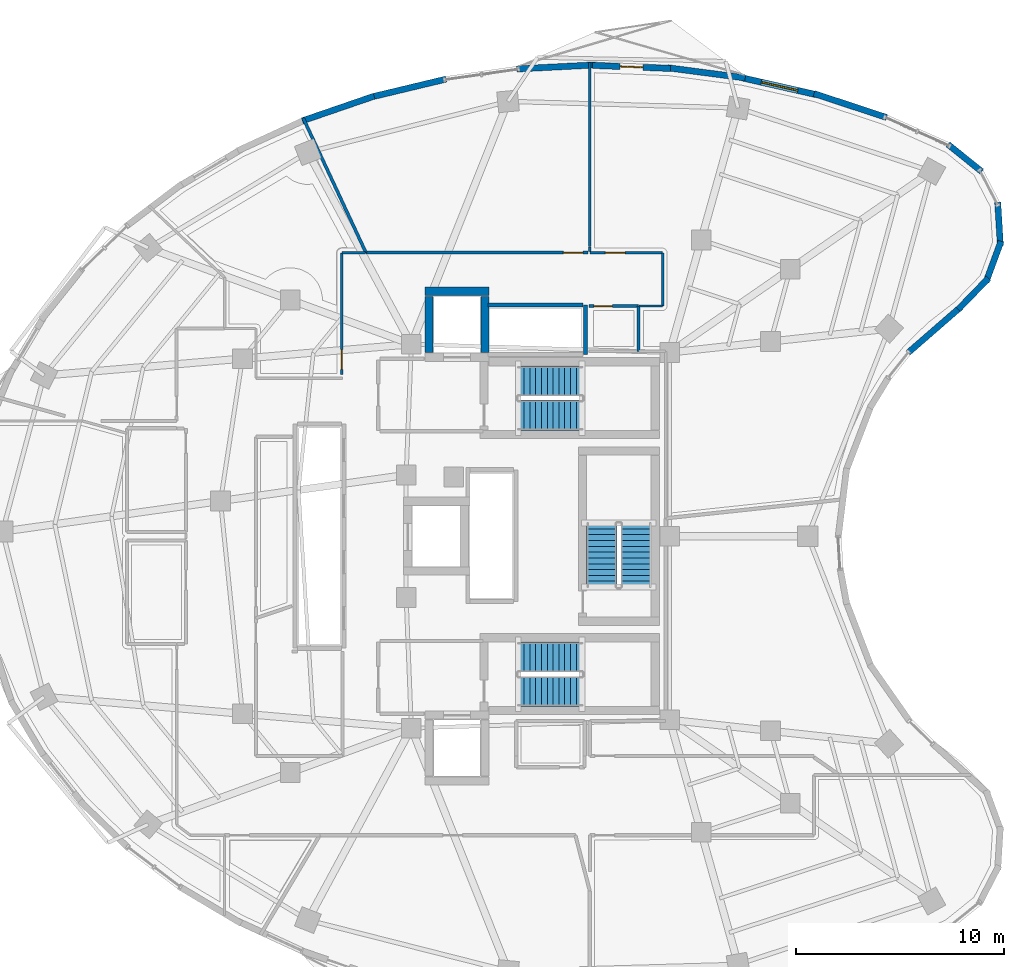
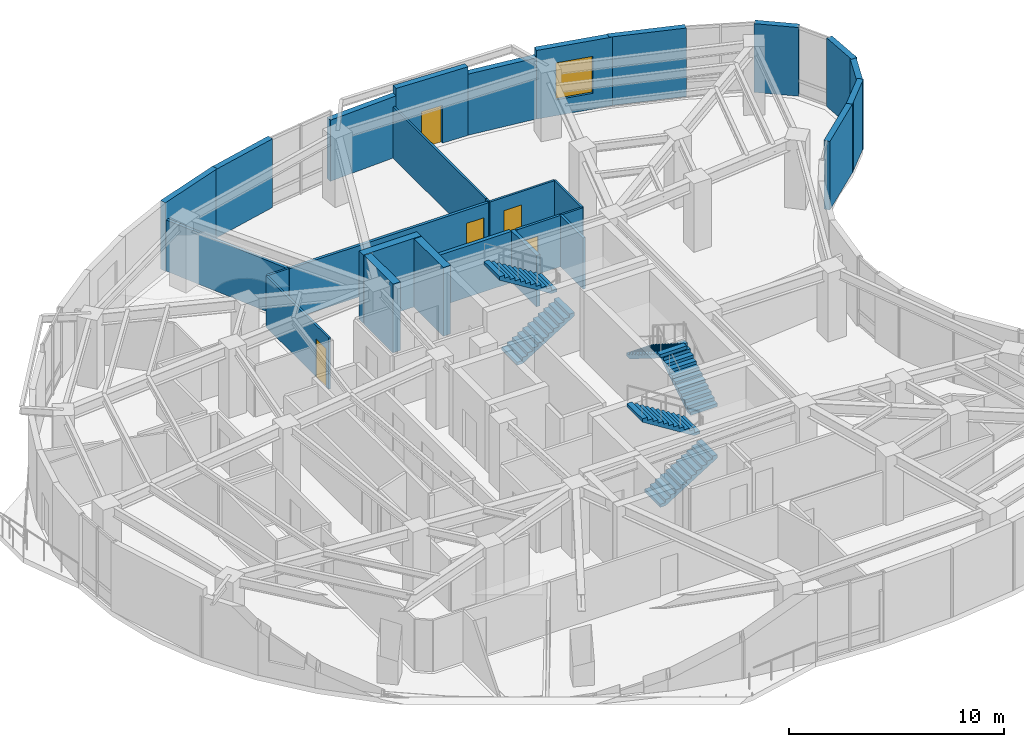
# One storey, part 11 of 14: 28 walls, 6 stair flights, 5 doors, 1 window, 6 openings, 3 elements without a shape of their own.
"""IFC4 building model written with IfcOpenShell, lengths in metres."""

from ifc_helpers import new_model, si_unit, direction, frame, frame_2d, origin, place, context, subcontext, project, spatial, polyline, rectangle, outline, extrude, material, layer, layer_set, type_object, element, fill, aggregate, save


model = new_model("IFC4")

# Units and contexts
model_context = context("Model", 3, precision=1e-05, world=origin(), true_north=direction((0.0, 1.0)))
body_context = subcontext(model_context, "Body", "Model", "MODEL_VIEW")
ifc_project = project(units=[si_unit("LENGTHUNIT", "METRE"), si_unit("AREAUNIT", "SQUARE_METRE"), si_unit("VOLUMEUNIT", "CUBIC_METRE"), si_unit("PLANEANGLEUNIT", "RADIAN"), si_unit("MASSUNIT", "GRAM", prefix="KILO")], contexts=[model_context])

# Site, building, storey
site_placement = place(None, origin())
site = spatial("IfcSite", under=ifc_project, at=site_placement, CompositionType="ELEMENT")
building_placement = place(site_placement, origin())
building = spatial("IfcBuilding", under=site, at=building_placement, Name="Korentha Bioscience Tower", CompositionType="ELEMENT")
storey_placement = place(building_placement, frame((0.0, 0.0, 231.0)))
storey = spatial("IfcBuildingStorey", under=building, at=storey_placement, Name="L53", CompositionType="ELEMENT", Elevation=231.0)

# Wall, opening, door
ifc_material_1 = material(Name="Double-Stud Acoustic Gypsum", Category="gypsum")
ifc_layer_1 = layer(ifc_material_1, 0.14990234375, Name="Double-Stud Acoustic Gypsum")
ifc_layer_set_1 = layer_set([ifc_layer_1], Name="Double-Stud Acoustic Gypsum (IW-L150)")
wall_type_1 = type_object("IfcWallType", Name="Acoustic Laboratory Partition Wall 150", PredefinedType="PARTITIONING", material=ifc_layer_set_1)
wall_1_placement = place(storey_placement, frame((33.611083984375, 40.659912109375, 0.0), z_axis=(0.0, 0.0, 1.0), x_axis=(-1.0, 0.0, 0.0)))
wall_1 = element("IfcWall", 1, at=wall_1_placement, inside=storey, type_object=wall_type_1, Name="L53 Data Visualization Collaboration Hub 08 Entrance Wall", PredefinedType="PARTITIONING", context=body_context, shape_type="SweptSolid", body=[
    extrude(rectangle(XDim=10.698486328125, YDim=0.14990234375, at=frame_2d((5.34912109375, 0.0))), origin(), (0.0, 0.0, 1.0), 2.909912109375),
])
opening_1_placement = place(wall_1_placement, frame((0.239990234375, 0.0, 0.0)))
opening_1 = element("IfcOpeningElement", 2, at=opening_1_placement, cuts=wall_1, Name="Opening ID-10L", PredefinedType="OPENING", context=body_context, shape_type="SweptSolid", body=[
    extrude(rectangle(XDim=0.949951171875, YDim=2.14990234375, at=frame_2d((0.47509765625, 1.074951171875))), frame((0.0, 0.08984375, 0.0), z_axis=(0.0, -1.0, 0.0), x_axis=(1.0, 0.0, 0.0)), (0.0, 0.0, 1.0), 0.1796875),
])
ifc_material_2 = material(Name="Phenolic Laminate Timber Core", Category="wood")
door_type_1 = type_object("IfcDoorType", Name="Laboratory Single Leaf Door 950x2150 Left", OperationType="SINGLE_SWING_LEFT", PredefinedType="DOOR", material=ifc_material_2)
door_1_placement = place(opening_1_placement, origin())
door_1 = element("IfcDoor", 3, at=door_1_placement, inside=storey, type_object=door_type_1, Name="L53 Data Visualization Collaboration Hub 08 Door", OperationType="SINGLE_SWING_LEFT", OverallHeight=2.14990234375, OverallWidth=0.949951171875, PredefinedType="DOOR", context=body_context, shape_type="SweptSolid", body=[
    extrude(rectangle(XDim=0.949951171875, YDim=2.14990234375, at=frame_2d((0.47509765625, 1.074951171875))), frame((0.0, 0.02490234375, 0.0), z_axis=(0.0, -1.0, 0.0), x_axis=(1.0, 0.0, 0.0)), (0.0, 0.0, 1.0), 0.050048828125),
])
fill(opening_1, door_1)

# Wall
wall_2_placement = place(storey_placement, frame((22.91259765625, 40.659912109375, 0.0), z_axis=(0.0, 0.0, 1.0), x_axis=(-0.422622429436, 0.906305843597, 0.0)))
element("IfcWall", 4, at=wall_2_placement, inside=storey, type_object=wall_type_1, Name="L53 Interior Partition 059", PredefinedType="PARTITIONING", context=body_context, shape_type="SweptSolid", body=[
    extrude(rectangle(XDim=7.1650390625, YDim=0.14990234375, at=frame_2d((3.58251953125, 0.0))), origin(), (0.0, 0.0, 1.0), 2.909912109375),
])

# Wall, opening, door
ifc_material_3 = material(Name="Fire-Rated Framed Glass", Category="glass")
ifc_layer_2 = layer(ifc_material_3, 0.110107421875, Name="Fire-Rated Framed Glass")
ifc_layer_set_2 = layer_set([ifc_layer_2], Name="Fire-Rated Framed Glass (IW-G110)")
wall_type_2 = type_object("IfcWallType", Name="Demountable Glazed Office Partition 110", PredefinedType="MOVABLE", material=ifc_layer_set_2)
wall_3_placement = place(storey_placement, frame((37.199951171875, 40.659912109375, 0.0), z_axis=(0.0, 0.0, 1.0), x_axis=(-1.0, 0.0, 0.0)))
wall_3 = element("IfcWall", 5, at=wall_3_placement, inside=storey, type_object=wall_type_2, Name="L53 Research Group Leader Office 07 Entrance Wall", PredefinedType="MOVABLE", context=body_context, shape_type="SweptSolid", body=[
    extrude(rectangle(XDim=3.498046875, YDim=0.110107421875, at=frame_2d((1.7490234375, 0.0))), origin(), (0.0, 0.0, 1.0), 2.909912109375),
])
opening_2_placement = place(wall_3_placement, frame((1.802001953125, 0.0, 0.0)))
opening_2 = element("IfcOpeningElement", 6, at=opening_2_placement, cuts=wall_3, Name="Opening ID-10R", PredefinedType="OPENING", context=body_context, shape_type="SweptSolid", body=[
    extrude(rectangle(XDim=0.949951171875, YDim=2.14990234375, at=frame_2d((0.47509765625, 1.074951171875))), frame((0.0, 0.06982421875, 0.0), z_axis=(0.0, -1.0, 0.0), x_axis=(1.0, 0.0, 0.0)), (0.0, 0.0, 1.0), 0.139892578125),
])
door_type_2 = type_object("IfcDoorType", Name="Laboratory Single Leaf Door 950x2150 Right", OperationType="SINGLE_SWING_RIGHT", PredefinedType="DOOR", material=ifc_material_2)
door_2_placement = place(opening_2_placement, origin())
door_2 = element("IfcDoor", 7, at=door_2_placement, inside=storey, type_object=door_type_2, Name="L53 Research Group Leader Office 07 Door", OperationType="SINGLE_SWING_RIGHT", OverallHeight=2.14990234375, OverallWidth=0.949951171875, PredefinedType="DOOR", context=body_context, shape_type="SweptSolid", body=[
    extrude(rectangle(XDim=0.949951171875, YDim=2.14990234375, at=frame_2d((0.47509765625, 1.074951171875))), frame((0.0, 0.02490234375, 0.0), z_axis=(0.0, -1.0, 0.0), x_axis=(1.0, 0.0, 0.0)), (0.0, 0.0, 1.0), 0.050048828125),
])
fill(opening_2, door_2)

wall_4_placement = place(storey_placement, frame((21.739990234375, 40.64990234375, 0.0), z_axis=(0.0, 0.0, 1.0), x_axis=(0.0, -1.0, 0.0)))
wall_4 = element("IfcWall", 8, at=wall_4_placement, inside=storey, type_object=wall_type_2, Name="L53 Colloquium Huddle Room 09 Entrance Wall", PredefinedType="MOVABLE", context=body_context, shape_type="SweptSolid", body=[
    extrude(rectangle(XDim=5.849853515625, YDim=0.110107421875, at=frame_2d((2.9248046875, 0.0))), origin(), (0.0, 0.0, 1.0), 2.909912109375),
])
opening_3_placement = place(wall_4_placement, frame((4.659912109375, 0.0, 0.0)))
opening_3 = element("IfcOpeningElement", 9, at=opening_3_placement, cuts=wall_4, Name="Opening ID-10R", PredefinedType="OPENING", context=body_context, shape_type="SweptSolid", body=[
    extrude(rectangle(XDim=0.949951171875, YDim=2.14990234375, at=frame_2d((0.47509765625, 1.074951171875))), frame((0.0, 0.06982421875, 0.0), z_axis=(0.0, -1.0, 0.0), x_axis=(1.0, 0.0, 0.0)), (0.0, 0.0, 1.0), 0.139892578125),
])
door_3_placement = place(opening_3_placement, origin())
door_3 = element("IfcDoor", 10, at=door_3_placement, inside=storey, type_object=door_type_2, Name="L53 Colloquium Huddle Room 09 Door", OperationType="SINGLE_SWING_RIGHT", OverallHeight=2.14990234375, OverallWidth=0.949951171875, PredefinedType="DOOR", context=body_context, shape_type="SweptSolid", body=[
    extrude(rectangle(XDim=0.949951171875, YDim=2.14990234375, at=frame_2d((0.47509765625, 1.074951171875))), frame((0.0, 0.02490234375, 0.0), z_axis=(0.0, -1.0, 0.0), x_axis=(1.0, 0.0, 0.0)), (0.0, 0.0, 1.0), 0.050048828125),
])
fill(opening_3, door_3)

# Walls
wall_5_placement = place(storey_placement, frame((33.701904296875, 40.9462890625, 0.0), z_axis=(0.0, 0.0, 1.0), x_axis=(0.0, 1.0, 0.0)))
element("IfcWall", 11, at=wall_5_placement, inside=storey, type_object=wall_type_2, Name="L53 Interior Partition 053", PredefinedType="MOVABLE", context=body_context, shape_type="SweptSolid", body=[
    extrude(rectangle(XDim=8.867919921875, YDim=0.110107421875, at=frame_2d((4.43408203125, 0.0))), origin(), (0.0, 0.0, 1.0), 2.909912109375),
])
wall_6_placement = place(storey_placement, frame((36.06005859375, 38.090087890625, 0.0), z_axis=(0.0, 0.0, 1.0), x_axis=(1.0, 0.0, 0.0)))
element("IfcWall", 12, at=wall_6_placement, inside=storey, type_object=wall_type_2, Name="L53 Interior Partition 056", PredefinedType="MOVABLE", context=body_context, shape_type="SweptSolid", body=[
    extrude(rectangle(XDim=1.139892578125, YDim=0.110107421875, at=frame_2d((0.56982421875, 0.0))), origin(), (0.0, 0.0, 1.0), 2.909912109375),
])
wall_7_placement = place(storey_placement, frame((37.2099609375, 38.10009765625, 0.0), z_axis=(0.0, 0.0, 1.0), x_axis=(0.0, 1.0, 0.0)))
element("IfcWall", 13, at=wall_7_placement, inside=storey, type_object=wall_type_2, Name="L53 Interior Partition 057", PredefinedType="MOVABLE", context=body_context, shape_type="SweptSolid", body=[
    extrude(rectangle(XDim=2.5498046875, YDim=0.110107421875, at=frame_2d((1.27490234375, 0.0))), origin(), (0.0, 0.0, 1.0), 2.909912109375),
])
wall_8_placement = place(storey_placement, frame((33.701904296875, 40.718017578125, 0.0), z_axis=(0.0, 0.0, 1.0), x_axis=(0.0, 1.0, 0.0)))
element("IfcWall", 14, at=wall_8_placement, inside=storey, type_object=wall_type_2, Name="L53 Interior Partition 058", PredefinedType="MOVABLE", context=body_context, shape_type="SweptSolid", body=[
    extrude(rectangle(XDim=0.21484375, YDim=0.110107421875, at=frame_2d((0.107421875, 0.0))), origin(), (0.0, 0.0, 1.0), 2.909912109375),
])
wall_9_placement = place(storey_placement, frame((22.901611328125, 40.659912109375, 0.0), z_axis=(0.0, 0.0, 1.0), x_axis=(-1.0, 0.0, 0.0)))
element("IfcWall", 15, at=wall_9_placement, inside=storey, type_object=wall_type_2, Name="L53 Interior Partition 060", PredefinedType="MOVABLE", context=body_context, shape_type="SweptSolid", body=[
    extrude(rectangle(XDim=1.151611328125, YDim=0.110107421875, at=frame_2d((0.57568359375, 0.0))), origin(), (0.0, 0.0, 1.0), 2.909912109375),
])

# Wall, opening, window
ifc_material_4 = material(Name="Honed Limestone Precast Concrete C40", Category="masonry")
ifc_layer_3 = layer(ifc_material_4, 0.300048828125, Name="Honed Limestone Precast Concrete C40")
ifc_layer_set_3 = layer_set([ifc_layer_3], Name="Honed Limestone Precast Concrete C40 (EW-ST300)")
wall_type_3 = type_object("IfcWallType", Name="Honed Limestone Cavity Spandrel Wall 300", PredefinedType="STANDARD", material=ifc_layer_set_3)
wall_10_placement = place(storey_placement, frame((44.646484375, 48.267333984375, 0.0), z_axis=(0.0, 0.0, 1.0), x_axis=(-0.975237678872, 0.221159376263, 0.0)))
wall_10 = element("IfcWall", 16, at=wall_10_placement, inside=storey, type_object=wall_type_3, Name="L53 Honed Limestone Spandrel Wall 03", PredefinedType="STANDARD", context=body_context, shape_type="SweptSolid", body=[
    extrude(rectangle(XDim=3.70263671875, YDim=0.300048828125, at=frame_2d((1.851318359375, 0.0))), origin(), (0.0, 0.0, 1.0), 3.89990234375),
])
opening_4_placement = place(wall_10_placement, frame((0.951416015625, 0.0, 0.89990234375)))
opening_4 = element("IfcOpeningElement", 17, at=opening_4_placement, cuts=wall_10, Name="Opening WN-01", PredefinedType="OPENING", context=body_context, shape_type="SweptSolid", body=[
    extrude(rectangle(XDim=1.800048828125, YDim=2.10009765625, at=frame_2d((0.89990234375, 1.050048828125))), frame((0.0, 0.1650390625, 0.0), z_axis=(0.0, -1.0, 0.0), x_axis=(1.0, 0.0, 0.0)), (0.0, 0.0, 1.0), 0.329833984375),
])
ifc_material_5 = material(Name="Thermally Broken Aluminium Triple Glazing", Category="aluminium")
window_type = type_object("IfcWindowType", Name="Triple-Glazed Fixed Bioscience Window 1800x2100", PartitioningType="SINGLE_PANEL", PredefinedType="WINDOW", material=ifc_material_5)
window_placement = place(opening_4_placement, origin())
window = element("IfcWindow", 18, at=window_placement, inside=storey, type_object=window_type, Name="L53 Facade Window 03", OverallHeight=2.10009765625, OverallWidth=1.800048828125, PartitioningType="SINGLE_PANEL", PredefinedType="WINDOW", context=body_context, shape_type="SweptSolid", body=[
    extrude(rectangle(XDim=1.800048828125, YDim=2.10009765625, at=frame_2d((0.89990234375, 1.050048828125))), frame((0.0, 0.030029296875, 0.0), z_axis=(0.0, -1.0, 0.0), x_axis=(1.0, 0.0, 0.0)), (0.0, 0.0, 1.0), 0.06005859375),
])
fill(opening_4, window)

# Wall, opening, door
wall_11_placement = place(storey_placement, frame((37.58837890625, 49.5380859375, 0.0), z_axis=(0.0, 0.0, 1.0), x_axis=(-0.999223368644, 0.03940380128, 0.0)))
wall_11 = element("IfcWall", 19, at=wall_11_placement, inside=storey, type_object=wall_type_3, Name="L53 Balcony Threshold Wall 01", PredefinedType="STANDARD", context=body_context, shape_type="SweptSolid", body=[
    extrude(rectangle(XDim=3.76708984375, YDim=0.300048828125, at=frame_2d((1.883544921875, 0.0))), origin(), (0.0, 0.0, 1.0), 3.89990234375),
])
opening_5_placement = place(wall_11_placement, frame((1.33349609375, 0.0, 0.0)))
opening_5 = element("IfcOpeningElement", 20, at=opening_5_placement, cuts=wall_11, Name="Opening BD-11L", PredefinedType="OPENING", context=body_context, shape_type="SweptSolid", body=[
    extrude(rectangle(XDim=1.10009765625, YDim=2.14990234375, at=frame_2d((0.550048828125, 1.074951171875))), frame((0.0, 0.1650390625, 0.0), z_axis=(0.0, -1.0, 0.0), x_axis=(1.0, 0.0, 0.0)), (0.0, 0.0, 1.0), 0.329833984375),
])
ifc_material_6 = material(Name="Thermally Broken Glazed Aluminium", Category="aluminium")
door_type_3 = type_object("IfcDoorType", Name="Balcony Terrace Glazed Door 1100x2150 Left", OperationType="SINGLE_SWING_LEFT", PredefinedType="DOOR", material=ifc_material_6)
door_4_placement = place(opening_5_placement, origin())
door_4 = element("IfcDoor", 21, at=door_4_placement, inside=storey, type_object=door_type_3, Name="L53 Balcony Access Door 01", OperationType="SINGLE_SWING_LEFT", OverallHeight=2.14990234375, OverallWidth=1.10009765625, PredefinedType="DOOR", context=body_context, shape_type="SweptSolid", body=[
    extrude(rectangle(XDim=1.10009765625, YDim=2.14990234375, at=frame_2d((0.550048828125, 1.074951171875))), frame((0.0, 0.02490234375, 0.0), z_axis=(0.0, -1.0, 0.0), x_axis=(1.0, 0.0, 0.0)), (0.0, 0.0, 1.0), 0.050048828125),
])
fill(opening_5, door_4)

# Walls
wall_12_placement = place(storey_placement, frame((47.997802734375, 47.1767578125, 0.0), z_axis=(0.0, 0.0, 1.0), x_axis=(-0.94972655205, 0.313080622734, 0.0)))
element("IfcWall", 22, at=wall_12_placement, inside=storey, type_object=wall_type_3, Name="L53 Limestone Perimeter Closure Wall 02", PredefinedType="STANDARD", context=body_context, shape_type="SweptSolid", body=[
    extrude(rectangle(XDim=3.67919921875, YDim=0.300048828125, at=frame_2d((1.839599609375, 0.0))), origin(), (0.0, 0.0, 1.0), 3.89990234375),
])
wall_13_placement = place(storey_placement, frame((41.190673828125, 49.079833984375, 0.0), z_axis=(0.0, 0.0, 1.0), x_axis=(-0.991512801574, 0.130009093201, 0.0)))
element("IfcWall", 23, at=wall_13_placement, inside=storey, type_object=wall_type_3, Name="L53 Limestone Perimeter Closure Wall 04", PredefinedType="STANDARD", context=body_context, shape_type="SweptSolid", body=[
    extrude(rectangle(XDim=3.785888671875, YDim=0.300048828125, at=frame_2d((1.89306640625, 0.0))), origin(), (0.0, 0.0, 1.0), 3.469970703125),
])
wall_14_placement = place(storey_placement, frame((33.977294921875, 49.70849609375, 0.0), z_axis=(0.0, 0.0, 1.0), x_axis=(-0.998691783215, -0.051134353798, 0.0)))
element("IfcWall", 24, at=wall_14_placement, inside=storey, type_object=wall_type_3, Name="L53 Limestone Perimeter Closure Wall 06", PredefinedType="STANDARD", context=body_context, shape_type="SweptSolid", body=[
    extrude(rectangle(XDim=3.80517578125, YDim=0.300048828125, at=frame_2d((1.902587890625, 0.0))), origin(), (0.0, 0.0, 1.0), 3.469970703125),
])
wall_15_placement = place(storey_placement, frame((26.775146484375, 49.027099609375, 0.0), z_axis=(0.0, 0.0, 1.0), x_axis=(-0.972475629939, -0.233004611918, 0.0)))
element("IfcWall", 25, at=wall_15_placement, inside=storey, type_object=wall_type_3, Name="L53 Limestone Perimeter Closure Wall 08", PredefinedType="STANDARD", context=body_context, shape_type="SweptSolid", body=[
    extrude(rectangle(XDim=3.7353515625, YDim=0.300048828125, at=frame_2d((1.86767578125, 0.0))), origin(), (0.0, 0.0, 1.0), 3.89990234375),
])
wall_16_placement = place(storey_placement, frame((23.30908203125, 48.205078125, 0.0), z_axis=(0.0, 0.0, 1.0), x_axis=(-0.945722383555, -0.32497565023, 0.0)))
element("IfcWall", 26, at=wall_16_placement, inside=storey, type_object=wall_type_3, Name="L53 Limestone Perimeter Closure Wall 09", PredefinedType="STANDARD", context=body_context, shape_type="SweptSolid", body=[
    extrude(rectangle(XDim=3.669921875, YDim=0.300048828125, at=frame_2d((1.8349609375, 0.0))), origin(), (0.0, 0.0, 1.0), 3.89990234375),
])
wall_17_placement = place(storey_placement, frame((49.039794921875, 35.840087890625, 0.0), z_axis=(0.0, 0.0, 1.0), x_axis=(0.754679026761, 0.656094175075, 0.0)))
element("IfcWall", 27, at=wall_17_placement, inside=storey, type_object=wall_type_3, Name="L53 Limestone Perimeter Closure Wall 56", PredefinedType="STANDARD", context=body_context, shape_type="SweptSolid", body=[
    extrude(rectangle(XDim=3.360595703125, YDim=0.300048828125, at=frame_2d((1.68017578125, 0.0))), origin(), (0.0, 0.0, 1.0), 3.89990234375),
])
for number, where, z_axis, x_axis, name in (
    (28, (51.451416015625, 37.9267578125, 0.0), (0.0, 0.0, 1.0), (0.695810272174, 0.718225636647, 0.0), "L53 Limestone Perimeter Closure Wall 58"),
    (29, (52.79248046875, 39.247314453125, 0.0), (0.0, 0.0, 1.0), (0.346359858312, 0.93810172612, 0.0), "L53 Limestone Perimeter Closure Wall 59"),
    (30, (53.485595703125, 40.997314453125, 0.0), (0.0, 0.0, 1.0), (-0.06186954965, 0.998084244353, 0.0), "L53 Limestone Perimeter Closure Wall 60"),
):
    element("IfcWall", number, at=place(storey_placement, frame(where, z_axis=z_axis, x_axis=x_axis)), inside=storey, type_object=wall_type_3, Name=name, PredefinedType="STANDARD", context=body_context, shape_type="SweptSolid", body=[
        extrude(rectangle(XDim=2.09130859375, YDim=0.300048828125, at=frame_2d((1.045654296875, 0.0))), origin(), (0.0, 0.0, 1.0), 3.89990234375),
    ])
wall_18_placement = place(storey_placement, frame((52.587646484375, 44.5693359375, 0.0), z_axis=(0.0, 0.0, 1.0), x_axis=(-0.779157679167, 0.6268279756, 0.0)))
element("IfcWall", 31, at=wall_18_placement, inside=storey, type_object=wall_type_3, Name="L53 Limestone Perimeter Closure Wall 62", PredefinedType="STANDARD", context=body_context, shape_type="SweptSolid", body=[
    extrude(rectangle(XDim=2.091552734375, YDim=0.300048828125, at=frame_2d((1.0458984375, 0.0))), origin(), (0.0, 0.0, 1.0), 3.89990234375),
])
ifc_material_7 = material(Name="Autoclaved Aerated Concrete Block C25", Category="concrete")
ifc_layer_4 = layer(ifc_material_7, 0.199951171875, Name="Autoclaved Aerated Concrete Block C25")
ifc_layer_set_4 = layer_set([ifc_layer_4], Name="Autoclaved Aerated Concrete Block C25 (IW-S200)")
wall_type_4 = type_object("IfcWallType", Name="Lift and Riser Shaft Enclosure Wall 200", PredefinedType="PARTITIONING", material=ifc_layer_set_4)
wall_19_placement = place(storey_placement, frame((33.489990234375, 35.760009765625, 0.0), z_axis=(0.0, 0.0, 1.0), x_axis=(0.0, 1.0, 0.0)))
element("IfcWall", 32, at=wall_19_placement, inside=storey, type_object=wall_type_4, Name="L53 Lift Bank OBS Shaft Wall +X", PredefinedType="PARTITIONING", context=body_context, shape_type="SweptSolid", body=[
    extrude(rectangle(XDim=2.3798828125, YDim=0.199951171875, at=frame_2d((1.18994140625, 0.0))), origin(), (0.0, 0.0, 1.0), 2.909912109375),
])
wall_20_placement = place(storey_placement, frame((28.800048828125, 38.139892578125, 0.0), z_axis=(0.0, 0.0, 1.0), x_axis=(1.0, 0.0, 0.0)))
element("IfcWall", 33, at=wall_20_placement, inside=storey, type_object=wall_type_4, Name="L53 Lift Bank OBS Shaft Wall +Y", PredefinedType="PARTITIONING", context=body_context, shape_type="SweptSolid", body=[
    extrude(rectangle(XDim=4.570068359375, YDim=0.199951171875, at=frame_2d((2.28515625, 0.0))), origin(), (0.0, 0.0, 1.0), 2.909912109375),
])
ifc_material_8 = material(Name="Concrete C65", Category="concrete")
ifc_layer_5 = layer(ifc_material_8, 0.39990234375, Name="Concrete C65")
ifc_layer_set_5 = layer_set([ifc_layer_5], Name="Concrete C65 (CW-C65)")
wall_type_5 = type_object("IfcWallType", Name="Mid-Rise Core Shear Wall 400", PredefinedType="SHEAR", material=ifc_layer_set_5)
wall_21_placement = place(storey_placement, frame((25.75, 38.800048828125, 0.0), z_axis=(0.0, 0.0, 1.0), x_axis=(1.0, 0.0, 0.0)))
element("IfcWall", 34, at=wall_21_placement, inside=storey, type_object=wall_type_5, Name="L53 Core Shear Wall FFL2-N", PredefinedType="SHEAR", context=body_context, shape_type="SweptSolid", body=[
    extrude(rectangle(XDim=3.10009765625, YDim=0.39990234375, at=frame_2d((1.550048828125, 0.0))), origin(), (0.0, 0.0, 1.0), 3.89990234375),
])
for number, where, z_axis, x_axis, name in (
    (35, (25.949951171875, 35.860107421875, 0.0), (0.0, 0.0, 1.0), (0.0, 1.0, 0.0), "L53 Core Shear Wall FFL2-W"),
    (36, (28.64990234375, 35.860107421875, 0.0), (0.0, 0.0, 1.0), (0.0, 1.0, 0.0), "L53 Core Shear Wall FFL2-E"),
):
    element("IfcWall", number, at=place(storey_placement, frame(where, z_axis=z_axis, x_axis=x_axis)), inside=storey, type_object=wall_type_5, Name=name, PredefinedType="SHEAR", context=body_context, shape_type="SweptSolid", body=[
        extrude(rectangle(XDim=2.699951171875, YDim=0.39990234375, at=frame_2d((1.35009765625, 0.0))), origin(), (0.0, 0.0, 1.0), 3.89990234375),
    ])

# Wall, opening, door
ifc_material_9 = material(Name="Cement-Board Steel Stud", Category="steel")
ifc_layer_6 = layer(ifc_material_9, 0.1298828125, Name="Cement-Board Steel Stud")
ifc_layer_set_6 = layer_set([ifc_layer_6], Name="Cement-Board Steel Stud (IW-W130)")
wall_type_6 = type_object("IfcWallType", Name="Wet-Area Moisture-Resistant Partition 130", PredefinedType="PARTITIONING", material=ifc_layer_set_6)
wall_22_placement = place(storey_placement, frame((33.64990234375, 38.090087890625, 0.0), z_axis=(0.0, 0.0, 1.0), x_axis=(1.0, 0.0, 0.0)))
wall_22 = element("IfcWall", 37, at=wall_22_placement, inside=storey, type_object=wall_type_6, Name="L53 Accessible Staff WC Entrance Wall", PredefinedType="PARTITIONING", context=body_context, shape_type="SweptSolid", body=[
    extrude(rectangle(XDim=2.400146484375, YDim=0.1298828125, at=frame_2d((1.2001953125, 0.0))), origin(), (0.0, 0.0, 1.0), 2.909912109375),
])
opening_6_placement = place(wall_22_placement, frame((0.239990234375, 0.0, 0.0)))
opening_6 = element("IfcOpeningElement", 38, at=opening_6_placement, cuts=wall_22, Name="Opening ID-09L", PredefinedType="OPENING", context=body_context, shape_type="SweptSolid", body=[
    extrude(rectangle(XDim=0.89990234375, YDim=2.14990234375, at=frame_2d((0.449951171875, 1.074951171875))), frame((0.0, 0.079833984375, 0.0), z_axis=(0.0, -1.0, 0.0), x_axis=(1.0, 0.0, 0.0)), (0.0, 0.0, 1.0), 0.15966796875),
])
ifc_material_10 = material(Name="Moisture-Resistant HPL Leaf", Category="wood")
door_type_4 = type_object("IfcDoorType", Name="Restroom & Accessible WC Door 900x2150 Left", OperationType="SINGLE_SWING_LEFT", PredefinedType="DOOR", material=ifc_material_10)
door_5_placement = place(opening_6_placement, origin())
door_5 = element("IfcDoor", 39, at=door_5_placement, inside=storey, type_object=door_type_4, Name="L53 Accessible Staff WC Door", OperationType="SINGLE_SWING_LEFT", OverallHeight=2.14990234375, OverallWidth=0.89990234375, PredefinedType="DOOR", context=body_context, shape_type="SweptSolid", body=[
    extrude(rectangle(XDim=0.89990234375, YDim=2.14990234375, at=frame_2d((0.449951171875, 1.074951171875))), frame((0.0, 0.02490234375, 0.0), z_axis=(0.0, -1.0, 0.0), x_axis=(1.0, 0.0, 0.0)), (0.0, 0.0, 1.0), 0.050048828125),
])
fill(opening_6, door_5)

# Wall
wall_23_placement = place(storey_placement, frame((36.050048828125, 38.090087890625, 0.0), z_axis=(0.0, 0.0, 1.0), x_axis=(0.0, -1.0, 0.0)))
element("IfcWall", 40, at=wall_23_placement, inside=storey, type_object=wall_type_6, Name="L53 Interior Partition 022", PredefinedType="PARTITIONING", context=body_context, shape_type="SweptSolid", body=[
    extrude(rectangle(XDim=2.18017578125, YDim=0.1298828125, at=frame_2d((1.090087890625, 0.0))), origin(), (0.0, 0.0, 1.0), 2.909912109375),
])

# Stair, stair flights
ifc_material_11 = material(Name="Precast Concrete C50", Category="concrete")
stair_type = type_object("IfcStairType", Name="Core Exit Dog-Leg Stair 1450", PredefinedType="HALF_TURN_STAIR", material=ifc_material_11)
stair_1_placement = place(storey_placement, origin())
stair_1 = element("IfcStair", 41, at=stair_1_placement, inside=storey, type_object=stair_type, Name="L53 Tower North Pressurized Exit Stair ST-1", PredefinedType="HALF_TURN_STAIR")
stair_flight_type = type_object("IfcStairFlightType", Name="Core Exit Dog-Leg Stair 1450 Flight", PredefinedType="STRAIGHT", material=ifc_material_11)
stair_flight_1_placement = place(storey_placement, frame((30.25, 32.824951171875, 0.0), z_axis=(0.0, 0.0, 1.0), x_axis=(1.0, 0.0, 0.0)))
stair_flight_1 = element("IfcStairFlight", 42, at=stair_flight_1_placement, type_object=stair_flight_type, Name="ST-1 flight 1", NumberOfRisers=12, NumberOfTreads=11, PredefinedType="STRAIGHT", RiserHeight=0.175, TreadLength=0.28, context=body_context, shape_type="SweptSolid", body=[
    extrude(outline(polyline([(0.0, 0.0), (0.0, 0.175048828125), (0.280029296875, 0.175048828125), (0.280029296875, 0.35009765625), (0.56005859375, 0.35009765625), (0.56005859375, 0.52490234375), (0.840087890625, 0.52490234375), (0.840087890625, 0.699951171875), (1.1201171875, 0.699951171875), (1.1201171875, 0.875), (1.39990234375, 0.875), (1.39990234375, 1.050048828125), (1.679931640625, 1.050048828125), (1.679931640625, 1.22509765625), (1.9599609375, 1.22509765625), (1.9599609375, 1.39990234375), (2.239990234375, 1.39990234375), (2.239990234375, 1.574951171875), (2.52001953125, 1.574951171875), (2.52001953125, 1.75), (2.800048828125, 1.75), (2.800048828125, 1.925048828125), (3.080078125, 1.925048828125), (3.080078125, 2.10009765625), (3.080078125, 1.736328125), (0.3017578125, 0.0), (0.0, 0.0)])), frame((0.0, 0.72509765625, 0.0), z_axis=(0.0, -1.0, 0.0), x_axis=(1.0, 0.0, 0.0)), (0.0, 0.0, 1.0), 1.449951171875),
])
stair_flight_2_placement = place(storey_placement, frame((33.330078125, 34.47509765625, 2.10009765625), z_axis=(0.0, 0.0, 1.0), x_axis=(-1.0, 0.0, 0.0)))
stair_flight_2 = element("IfcStairFlight", 43, at=stair_flight_2_placement, type_object=stair_flight_type, Name="ST-1 flight 2", NumberOfRisers=12, NumberOfTreads=11, PredefinedType="STRAIGHT", RiserHeight=0.175, TreadLength=0.28, context=body_context, shape_type="SweptSolid", body=[
    extrude(outline(polyline([(0.0, 0.0), (0.0, 0.175048828125), (0.280029296875, 0.175048828125), (0.280029296875, 0.35009765625), (0.56005859375, 0.35009765625), (0.56005859375, 0.52490234375), (0.840087890625, 0.52490234375), (0.840087890625, 0.699951171875), (1.1201171875, 0.699951171875), (1.1201171875, 0.875), (1.39990234375, 0.875), (1.39990234375, 1.050048828125), (1.679931640625, 1.050048828125), (1.679931640625, 1.22509765625), (1.9599609375, 1.22509765625), (1.9599609375, 1.39990234375), (2.239990234375, 1.39990234375), (2.239990234375, 1.574951171875), (2.52001953125, 1.574951171875), (2.52001953125, 1.75), (2.800048828125, 1.75), (2.800048828125, 1.925048828125), (3.080078125, 1.925048828125), (3.080078125, 2.10009765625), (3.080078125, 1.736328125), (0.3017578125, 0.0), (0.0, 0.0)])), frame((0.0, 0.72509765625, 0.0), z_axis=(0.0, -1.0, 0.0), x_axis=(1.0, 0.0, 0.0)), (0.0, 0.0, 1.0), 1.449951171875),
])
aggregate(stair_1, [stair_flight_1, stair_flight_2])

stair_2_placement = place(storey_placement, origin())
stair_2 = element("IfcStair", 44, at=stair_2_placement, inside=storey, type_object=stair_type, Name="L53 Tower South Pressurized Exit Stair ST-2", PredefinedType="HALF_TURN_STAIR")
stair_flight_3_placement = place(storey_placement, frame((30.25, 19.52490234375, 0.0), z_axis=(0.0, 0.0, 1.0), x_axis=(1.0, 0.0, 0.0)))
stair_flight_3 = element("IfcStairFlight", 45, at=stair_flight_3_placement, type_object=stair_flight_type, Name="ST-2 flight 1", NumberOfRisers=12, NumberOfTreads=11, PredefinedType="STRAIGHT", RiserHeight=0.175, TreadLength=0.28, context=body_context, shape_type="SweptSolid", body=[
    extrude(outline(polyline([(0.0, 0.0), (0.0, 0.175048828125), (0.280029296875, 0.175048828125), (0.280029296875, 0.35009765625), (0.56005859375, 0.35009765625), (0.56005859375, 0.52490234375), (0.840087890625, 0.52490234375), (0.840087890625, 0.699951171875), (1.1201171875, 0.699951171875), (1.1201171875, 0.875), (1.39990234375, 0.875), (1.39990234375, 1.050048828125), (1.679931640625, 1.050048828125), (1.679931640625, 1.22509765625), (1.9599609375, 1.22509765625), (1.9599609375, 1.39990234375), (2.239990234375, 1.39990234375), (2.239990234375, 1.574951171875), (2.52001953125, 1.574951171875), (2.52001953125, 1.75), (2.800048828125, 1.75), (2.800048828125, 1.925048828125), (3.080078125, 1.925048828125), (3.080078125, 2.10009765625), (3.080078125, 1.736328125), (0.3017578125, 0.0), (0.0, 0.0)])), frame((0.0, 0.72509765625, 0.0), z_axis=(0.0, -1.0, 0.0), x_axis=(1.0, 0.0, 0.0)), (0.0, 0.0, 1.0), 1.449951171875),
])
stair_flight_4_placement = place(storey_placement, frame((33.330078125, 21.175048828125, 2.10009765625), z_axis=(0.0, 0.0, 1.0), x_axis=(-1.0, 0.0, 0.0)))
stair_flight_4 = element("IfcStairFlight", 46, at=stair_flight_4_placement, type_object=stair_flight_type, Name="ST-2 flight 2", NumberOfRisers=12, NumberOfTreads=11, PredefinedType="STRAIGHT", RiserHeight=0.175, TreadLength=0.28, context=body_context, shape_type="SweptSolid", body=[
    extrude(outline(polyline([(0.0, 0.0), (0.0, 0.175048828125), (0.280029296875, 0.175048828125), (0.280029296875, 0.35009765625), (0.56005859375, 0.35009765625), (0.56005859375, 0.52490234375), (0.840087890625, 0.52490234375), (0.840087890625, 0.699951171875), (1.1201171875, 0.699951171875), (1.1201171875, 0.875), (1.39990234375, 0.875), (1.39990234375, 1.050048828125), (1.679931640625, 1.050048828125), (1.679931640625, 1.22509765625), (1.9599609375, 1.22509765625), (1.9599609375, 1.39990234375), (2.239990234375, 1.39990234375), (2.239990234375, 1.574951171875), (2.52001953125, 1.574951171875), (2.52001953125, 1.75), (2.800048828125, 1.75), (2.800048828125, 1.925048828125), (3.080078125, 1.925048828125), (3.080078125, 2.10009765625), (3.080078125, 1.736328125), (0.3017578125, 0.0), (0.0, 0.0)])), frame((0.0, 0.72509765625, 0.0), z_axis=(0.0, -1.0, 0.0), x_axis=(1.0, 0.0, 0.0)), (0.0, 0.0, 1.0), 1.449951171875),
])
aggregate(stair_2, [stair_flight_3, stair_flight_4])

stair_3_placement = place(storey_placement, origin())
stair_3 = element("IfcStair", 47, at=stair_3_placement, inside=storey, type_object=stair_type, Name="L53 Tower Central Pressurized Exit Stair ST-3", PredefinedType="HALF_TURN_STAIR")
stair_flight_5_placement = place(storey_placement, frame((35.925048828125, 24.550048828125, 0.0), z_axis=(0.0, 0.0, 1.0), x_axis=(0.0, 1.0, 0.0)))
stair_flight_5 = element("IfcStairFlight", 48, at=stair_flight_5_placement, type_object=stair_flight_type, Name="ST-3 flight 1", NumberOfRisers=12, NumberOfTreads=11, PredefinedType="STRAIGHT", RiserHeight=0.175, TreadLength=0.28, context=body_context, shape_type="SweptSolid", body=[
    extrude(outline(polyline([(0.0, 0.0), (0.0, 0.175048828125), (0.280029296875, 0.175048828125), (0.280029296875, 0.35009765625), (0.56005859375, 0.35009765625), (0.56005859375, 0.52490234375), (0.840087890625, 0.52490234375), (0.840087890625, 0.699951171875), (1.1201171875, 0.699951171875), (1.1201171875, 0.875), (1.39990234375, 0.875), (1.39990234375, 1.050048828125), (1.679931640625, 1.050048828125), (1.679931640625, 1.22509765625), (1.9599609375, 1.22509765625), (1.9599609375, 1.39990234375), (2.239990234375, 1.39990234375), (2.239990234375, 1.574951171875), (2.52001953125, 1.574951171875), (2.52001953125, 1.75), (2.800048828125, 1.75), (2.800048828125, 1.925048828125), (3.080078125, 1.925048828125), (3.080078125, 2.10009765625), (3.080078125, 1.736328125), (0.3017578125, 0.0), (0.0, 0.0)])), frame((0.0, 0.72509765625, 0.0), z_axis=(0.0, -1.0, 0.0), x_axis=(1.0, 0.0, 0.0)), (0.0, 0.0, 1.0), 1.449951171875),
])
stair_flight_6_placement = place(storey_placement, frame((34.27490234375, 27.6298828125, 2.10009765625), z_axis=(0.0, 0.0, 1.0), x_axis=(0.0, -1.0, 0.0)))
stair_flight_6 = element("IfcStairFlight", 49, at=stair_flight_6_placement, type_object=stair_flight_type, Name="ST-3 flight 2", NumberOfRisers=12, NumberOfTreads=11, PredefinedType="STRAIGHT", RiserHeight=0.175, TreadLength=0.28, context=body_context, shape_type="SweptSolid", body=[
    extrude(outline(polyline([(0.0, 0.0), (0.0, 0.175048828125), (0.280029296875, 0.175048828125), (0.280029296875, 0.35009765625), (0.56005859375, 0.35009765625), (0.56005859375, 0.52490234375), (0.840087890625, 0.52490234375), (0.840087890625, 0.699951171875), (1.1201171875, 0.699951171875), (1.1201171875, 0.875), (1.39990234375, 0.875), (1.39990234375, 1.050048828125), (1.679931640625, 1.050048828125), (1.679931640625, 1.22509765625), (1.9599609375, 1.22509765625), (1.9599609375, 1.39990234375), (2.239990234375, 1.39990234375), (2.239990234375, 1.574951171875), (2.52001953125, 1.574951171875), (2.52001953125, 1.75), (2.800048828125, 1.75), (2.800048828125, 1.925048828125), (3.080078125, 1.925048828125), (3.080078125, 2.10009765625), (3.080078125, 1.736328125), (0.3017578125, 0.0), (0.0, 0.0)])), frame((0.0, 0.72509765625, 0.0), z_axis=(0.0, -1.0, 0.0), x_axis=(1.0, 0.0, 0.0)), (0.0, 0.0, 1.0), 1.449951171875),
])
aggregate(stair_3, [stair_flight_5, stair_flight_6])

save(model, "model.ifc")
